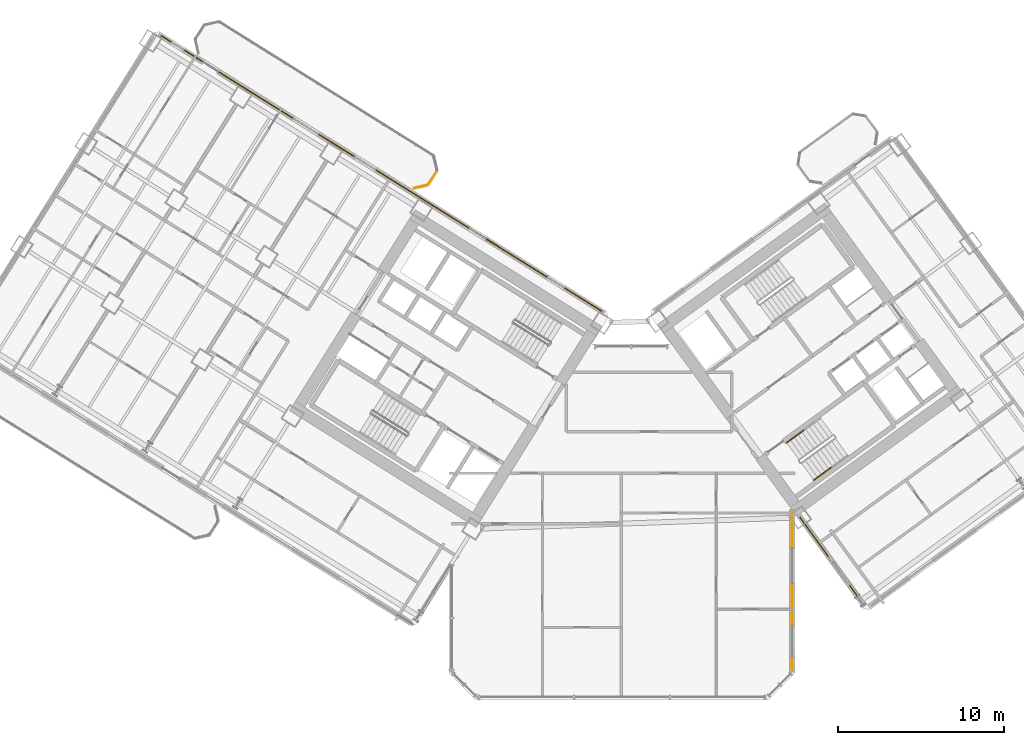
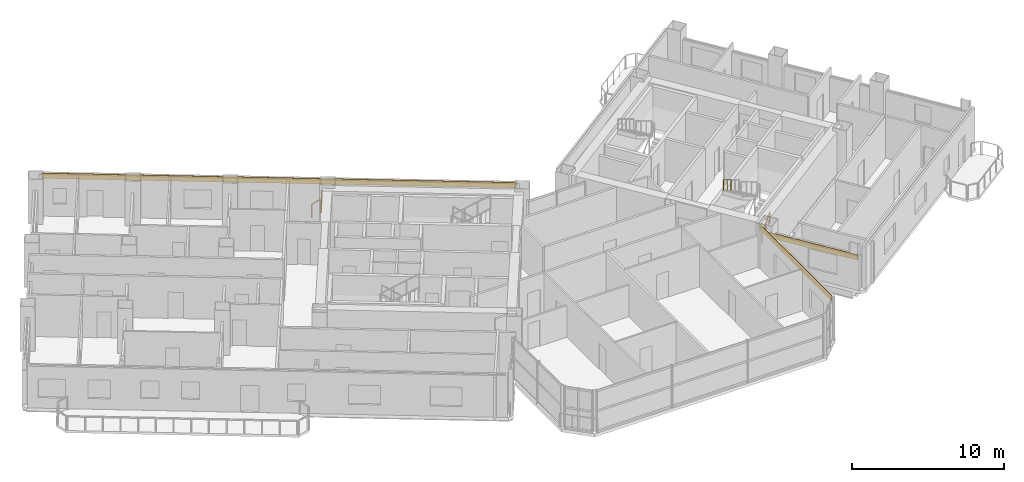
# One storey, part 25 of 28: 4 railings, 3 coverings.
"""IFC4 building model written with IfcOpenShell, lengths in metres."""

from ifc_helpers import new_model, si_unit, direction, frame, origin, origin_2d, place, context, subcontext, project, spatial, rectangle, extrude, source, transform, mapped, material, layer, layer_set, type_object, element, save


model = new_model("IFC4")

# Units and contexts
model_context = context("Model", 3, precision=1e-05, world=origin(), true_north=direction((0.0, 1.0)))
body_context = subcontext(model_context, "Body", "Model", "MODEL_VIEW")
ifc_project = project(units=[si_unit("LENGTHUNIT", "METRE"), si_unit("AREAUNIT", "SQUARE_METRE"), si_unit("VOLUMEUNIT", "CUBIC_METRE"), si_unit("PLANEANGLEUNIT", "RADIAN"), si_unit("MASSUNIT", "GRAM", prefix="KILO")], contexts=[model_context])

# Site, building, storey
site_placement = place(None, origin())
site = spatial("IfcSite", under=ifc_project, at=site_placement, CompositionType="ELEMENT")
building_placement = place(site_placement, origin())
building = spatial("IfcBuilding", under=site, at=building_placement, Name="Tlacorven Tower", CompositionType="ELEMENT")
storey_placement = place(building_placement, frame((0.0, 0.0, 49.199951171875)))
storey = spatial("IfcBuildingStorey", under=building, at=storey_placement, Name="L12", CompositionType="ELEMENT", Elevation=49.199951171875)

# Railings
ifc_material_1 = material(Name="Aluminium and painted steel balustrade", Category="steel")
railing_type_1 = type_object("IfcRailingType", Name="RL-BAL-1100", PredefinedType="BALUSTRADE", material=ifc_material_1)
shared_shape_1 = source(origin(), body_context, "Body", "SweptSolid", [
    extrude(rectangle(XDim=0.048095703125, YDim=0.048095703125, at=origin_2d()), frame((0.0, 0.0, 1.076171875), z_axis=(-0.52987865805, -0.848073468364, 0.0), x_axis=(0.848073468364, -0.52987865805, 0.0)), (0.0, 0.0, 1.0), 0.912353515625),
    extrude(rectangle(XDim=0.0419921875, YDim=0.0419921875, at=origin_2d()), origin(), (0.0, 0.0, 1.0), 1.052001953125),
    extrude(rectangle(XDim=0.0419921875, YDim=0.0419921875, at=origin_2d()), frame((-0.4833984375, -0.773681640625, 0.0)), (0.0, 0.0, 1.0), 1.052001953125),
])
railing_1_placement = place(storey_placement, frame((30.845947265625, 33.588623046875, 0.0)))
element("IfcRailing", 1, at=railing_1_placement, inside=storey, type_object=railing_type_1, Name="BAL-L12-W-IN Guard Railing 2", PredefinedType="BALUSTRADE", context=body_context, shape_type="MappedRepresentation", body=[
    mapped(shared_shape_1, transform((0.0, 0.0, 0.0), scale=1.0)),
])
shared_shape_2 = source(origin(), body_context, "Body", "SweptSolid", [
    extrude(rectangle(XDim=0.048095703125, YDim=0.048095703125, at=origin_2d()), frame((0.0, 0.0, 1.076171875), z_axis=(-0.974345290916, -0.225058334816, 0.0), x_axis=(0.225058334816, -0.974345290916, 0.0)), (0.0, 0.0, 1.0), 0.80712890625),
    extrude(rectangle(XDim=0.0419921875, YDim=0.0419921875, at=origin_2d()), origin(), (0.0, 0.0, 1.0), 1.052001953125),
    extrude(rectangle(XDim=0.0419921875, YDim=0.0419921875, at=origin_2d()), frame((-0.786376953125, -0.181640625, 0.0)), (0.0, 0.0, 1.0), 1.052001953125),
])
railing_2_placement = place(storey_placement, frame((30.287353515625, 32.761474609375, 0.0)))
element("IfcRailing", 2, at=railing_2_placement, inside=storey, type_object=railing_type_1, Name="BAL-L12-W-IN Guard Railing 3", PredefinedType="BALUSTRADE", context=body_context, shape_type="MappedRepresentation", body=[
    mapped(shared_shape_2, transform((0.0, 0.0, 0.0), scale=1.0)),
])

# Coverings
ifc_material_2 = material(Name="Precast concrete C45/55", Category="concrete")
ifc_layer = layer(ifc_material_2, 0.06005859375)
ifc_layer_set = layer_set([ifc_layer], Name="Precast concrete C45/55")
covering_type = type_object("IfcCoveringType", Name="CV-CLD-TERC", PredefinedType="CLADDING", material=ifc_layer_set)
shared_shape_3 = source(origin(), body_context, "Body", "SweptSolid", [
    extrude(rectangle(XDim=31.287353515625, YDim=0.06005859375, at=origin_2d()), origin(), (0.0, 0.0, 1.0), 0.419921875),
])
covering_1_placement = place(storey_placement, frame((27.5322265625, 33.455810546875, 2.93017578125), z_axis=(0.0, 0.0, 1.0), x_axis=(0.84804812172, -0.529919223323, 0.0)))
element("IfcCovering", 3, at=covering_1_placement, inside=storey, type_object=covering_type, Name="L12 Masonry-Frame Spandrel Cladding 3", PredefinedType="CLADDING", context=body_context, shape_type="MappedRepresentation", body=[
    mapped(shared_shape_3, transform((0.0, 0.0, 0.0), scale=1.0)),
])
shared_shape_4 = source(origin(), body_context, "Body", "SweptSolid", [
    extrude(rectangle(XDim=6.4736328125, YDim=0.06005859375, at=origin_2d()), origin(), (0.0, 0.0, 1.0), 0.419921875),
])
covering_2_placement = place(storey_placement, frame((54.59033203125, 10.178955078125, 2.30517578125), z_axis=(0.0, 0.0, 1.0), x_axis=(-0.587785622053, 0.809016725728, 0.0)))
element("IfcCovering", 4, at=covering_2_placement, inside=storey, type_object=covering_type, Name="L12 Masonry-Frame Spandrel Cladding 7", PredefinedType="CLADDING", context=body_context, shape_type="MappedRepresentation", body=[
    mapped(shared_shape_4, transform((0.0, 0.0, 0.0), scale=1.0)),
])
shared_shape_5 = source(origin(), body_context, "Body", "SweptSolid", [
    extrude(rectangle(XDim=9.49462890625, YDim=0.06005859375, at=origin_2d()), origin(), (0.0, 0.0, 1.0), 0.419921875),
])
covering_3_placement = place(storey_placement, frame((52.239990234375, 8.363525390625, 2.93017578125), z_axis=(0.0, 0.0, 1.0), x_axis=(0.0, -1.0, 0.0)))
element("IfcCovering", 5, at=covering_3_placement, inside=storey, type_object=covering_type, Name="L12 Masonry-Frame Spandrel Cladding 8", PredefinedType="CLADDING", context=body_context, shape_type="MappedRepresentation", body=[
    mapped(shared_shape_5, transform((0.0, 0.0, 0.0), scale=1.0)),
])

# Railings
railing_type_2 = type_object("IfcRailingType", Name="RL-HND-0900", PredefinedType="HANDRAIL", material=ifc_material_1)
shared_shape_6 = source(origin(), body_context, "Body", "SweptSolid", [
    extrude(rectangle(XDim=0.048095703125, YDim=0.048095703125, at=origin_2d()), frame((0.0, 0.0, 0.8759765625), z_axis=(-0.680461216233, -0.494495647917, 0.540783309093), x_axis=(0.587872112667, -0.808953879494, 0.0)), (0.0, 0.0, 1.0), 1.498046875),
    extrude(rectangle(XDim=0.0419921875, YDim=0.0419921875, at=origin_2d()), origin(), (0.0, 0.0, 1.0), 0.851806640625),
    extrude(rectangle(XDim=0.0419921875, YDim=0.0419921875, at=origin_2d()), frame((-0.509765625, -0.370361328125, 0.405029296875)), (0.0, 0.0, 1.0), 0.851806640625),
    extrude(rectangle(XDim=0.0419921875, YDim=0.0419921875, at=origin_2d()), frame((-1.019287109375, -0.74072265625, 0.81005859375)), (0.0, 0.0, 1.0), 0.851806640625),
])
railing_3_placement = place(storey_placement, frame((52.9189453125, 18.0087890625, 2.7900390625)))
element("IfcRailing", 6, at=railing_3_placement, inside=storey, type_object=railing_type_2, Name="L12 ST-E2 stair handrail 4", PredefinedType="HANDRAIL", context=body_context, shape_type="MappedRepresentation", body=[
    mapped(shared_shape_6, transform((0.0, 0.0, 0.0), scale=1.0)),
])
shared_shape_7 = source(origin(), body_context, "Body", "SweptSolid", [
    extrude(rectangle(XDim=0.048095703125, YDim=0.048095703125, at=origin_2d()), frame((0.0, 0.0, 0.8759765625), z_axis=(0.680461216233, 0.494495647917, 0.540783309093), x_axis=(-0.587872112667, 0.808953879494, 0.0)), (0.0, 0.0, 1.0), 1.498046875),
    extrude(rectangle(XDim=0.0419921875, YDim=0.0419921875, at=origin_2d()), origin(), (0.0, 0.0, 1.0), 0.851806640625),
    extrude(rectangle(XDim=0.0419921875, YDim=0.0419921875, at=origin_2d()), frame((0.509765625, 0.370361328125, 0.405029296875)), (0.0, 0.0, 1.0), 0.851806640625),
    extrude(rectangle(XDim=0.0419921875, YDim=0.0419921875, at=origin_2d()), frame((1.019287109375, 0.74072265625, 0.81005859375)), (0.0, 0.0, 1.0), 0.851806640625),
])
railing_4_placement = place(storey_placement, frame((53.53369140625, 15.01904296875, 0.179931640625)))
element("IfcRailing", 7, at=railing_4_placement, inside=storey, type_object=railing_type_2, Name="L12 ST-E2 stair handrail 1", PredefinedType="HANDRAIL", context=body_context, shape_type="MappedRepresentation", body=[
    mapped(shared_shape_7, transform((0.0, 0.0, 0.0), scale=1.0)),
])

save(model, "model.ifc")
